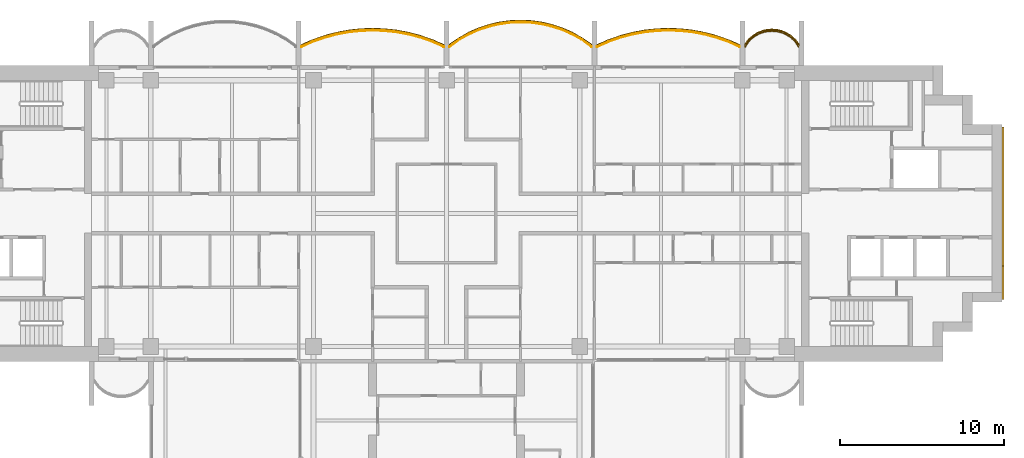
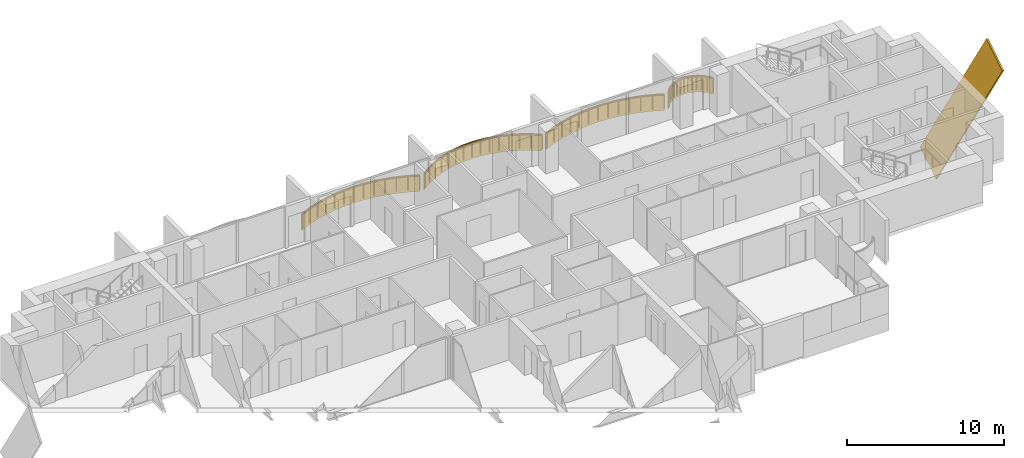
# One storey, part 17 of 17: 5 coverings, 4 railings.
"""IFC4 building model written with IfcOpenShell, lengths in metres."""

from ifc_helpers import new_model, si_unit, direction, frame, origin, origin_2d, place, context, subcontext, project, spatial, polyline, rectangle, outline, extrude, material, layer, layer_set, material_profile, profile_set, type_object, element, save


model = new_model("IFC4")

# Units and contexts
model_context = context("Model", 3, precision=1e-05, world=origin(), true_north=direction((0.0, 1.0)))
body_context = subcontext(model_context, "Body", "Model", "MODEL_VIEW")
ifc_project = project(units=[si_unit("LENGTHUNIT", "METRE"), si_unit("AREAUNIT", "SQUARE_METRE"), si_unit("VOLUMEUNIT", "CUBIC_METRE"), si_unit("PLANEANGLEUNIT", "RADIAN"), si_unit("MASSUNIT", "GRAM", prefix="KILO")], contexts=[model_context])

# Site, building, storey
site_placement = place(None, origin())
site = spatial("IfcSite", under=ifc_project, at=site_placement, CompositionType="ELEMENT")
building_placement = place(site_placement, origin())
building = spatial("IfcBuilding", under=site, at=building_placement, Name="Perihelion Cross Residences", CompositionType="ELEMENT")
storey_placement = place(building_placement, frame((0.0, 0.0, 191.10009765625)))
storey = spatial("IfcBuildingStorey", under=building, at=storey_placement, Name="L47", CompositionType="ELEMENT", Elevation=191.10009765625)

# Coverings
ifc_material_1 = material(Name="Bronze anodised aluminium", Category="aluminium")
ifc_layer = layer(ifc_material_1, 0.070068359375)
ifc_layer_set = layer_set([ifc_layer], Name="Balcony fascia 1300")
covering_type_1 = type_object("IfcCoveringType", Name="Balcony fascia 1300", PredefinedType="CLADDING", material=ifc_layer_set)
covering_1_placement = place(storey_placement, frame((0.0, 0.0, -0.2001953125)))
element("IfcCovering", 1, at=covering_1_placement, inside=storey, type_object=covering_type_1, Name="Fascia BF1 L47 east side north bay 1", PredefinedType="CLADDING", context=body_context, shape_type="SweptSolid", body=[
    extrude(outline(polyline([(21.226318359375, 10.616455078125), (20.94091796875, 10.86328125), (20.655517578125, 11.031494140625), (20.370361328125, 11.142578125), (20.085205078125, 11.206298828125), (19.800048828125, 11.22705078125), (19.514892578125, 11.206298828125), (19.229736328125, 11.142578125), (18.9443359375, 11.031494140625), (18.6591796875, 10.86328125), (18.373779296875, 10.616455078125), (18.14990234375, 10.31689453125), (18.14990234375, 10.199951171875), (18.425048828125, 10.568603515625), (18.699951171875, 10.806396484375), (18.97509765625, 10.96875), (19.25, 11.07568359375), (19.52490234375, 11.136962890625), (19.800048828125, 11.156982421875), (20.074951171875, 11.136962890625), (20.35009765625, 11.07568359375), (20.625, 10.96875), (20.89990234375, 10.806396484375), (21.175048828125, 10.568603515625), (21.449951171875, 10.199951171875), (21.449951171875, 10.31689453125), (21.226318359375, 10.616455078125)])), origin(), (0.0, 0.0, 1.0), 1.300048828125),
])
covering_2_placement = place(storey_placement, frame((0.0, 0.0, -0.2001953125)))
element("IfcCovering", 2, at=covering_2_placement, inside=storey, type_object=covering_type_1, Name="Fascia BF1 L47 east side north bay 2", PredefinedType="CLADDING", context=body_context, shape_type="SweptSolid", body=[
    extrude(outline(polyline([(17.150634765625, 10.582275390625), (16.42041015625, 10.83544921875), (15.690185546875, 11.028076171875), (14.960205078125, 11.1630859375), (14.22998046875, 11.243408203125), (13.5, 11.27001953125), (12.77001953125, 11.243408203125), (12.039794921875, 11.1630859375), (11.309814453125, 11.028076171875), (10.57958984375, 10.83544921875), (9.849365234375, 10.582275390625), (9.14990234375, 10.2763671875), (9.14990234375, 10.199951171875), (9.875, 10.51708984375), (10.60009765625, 10.7685546875), (11.324951171875, 10.959716796875), (12.050048828125, 11.093994140625), (12.77490234375, 11.173583984375), (13.5, 11.199951171875), (14.22509765625, 11.173583984375), (14.949951171875, 11.093994140625), (15.675048828125, 10.959716796875), (16.39990234375, 10.7685546875), (17.125, 10.51708984375), (17.85009765625, 10.199951171875), (17.85009765625, 10.2763671875), (17.150634765625, 10.582275390625)])), origin(), (0.0, 0.0, 1.0), 1.300048828125),
])
covering_3_placement = place(storey_placement, frame((0.0, 0.0, -0.2001953125)))
element("IfcCovering", 3, at=covering_3_placement, inside=storey, type_object=covering_type_1, Name="Fascia BF1 L47 north side east bay 1", PredefinedType="CLADDING", context=body_context, shape_type="SweptSolid", body=[
    extrude(outline(polyline([(8.265625, 10.694091796875), (7.637939453125, 11.0419921875), (7.010498046875, 11.313232421875), (6.3828125, 11.516845703125), (5.755126953125, 11.65869140625), (5.127685546875, 11.742431640625), (4.5, 11.77001953125), (3.872314453125, 11.742431640625), (3.244873046875, 11.65869140625), (2.6171875, 11.516845703125), (1.989501953125, 11.313232421875), (1.362060546875, 11.0419921875), (0.734375, 10.694091796875), (0.14990234375, 10.285400390625), (0.14990234375, 10.199951171875), (0.771484375, 10.634765625), (1.392822265625, 10.979248046875), (2.014404296875, 11.247802734375), (2.6357421875, 11.44921875), (3.257080078125, 11.589599609375), (3.878662109375, 11.672607421875), (4.5, 11.699951171875), (5.121337890625, 11.672607421875), (5.742919921875, 11.589599609375), (6.3642578125, 11.44921875), (6.985595703125, 11.247802734375), (7.607177734375, 10.979248046875), (8.228515625, 10.634765625), (8.85009765625, 10.199951171875), (8.85009765625, 10.285400390625), (8.265625, 10.694091796875)])), origin(), (0.0, 0.0, 1.0), 1.300048828125),
])
covering_4_placement = place(storey_placement, frame((0.0, 0.0, -0.2001953125)))
element("IfcCovering", 4, at=covering_4_placement, inside=storey, type_object=covering_type_1, Name="Fascia BF1 L47 north side east bay 2", PredefinedType="CLADDING", context=body_context, shape_type="SweptSolid", body=[
    extrude(outline(polyline([(-0.849365234375, 10.582275390625), (-1.57958984375, 10.83544921875), (-2.309814453125, 11.028076171875), (-3.039794921875, 11.1630859375), (-3.77001953125, 11.243408203125), (-4.5, 11.27001953125), (-5.22998046875, 11.243408203125), (-5.960205078125, 11.1630859375), (-6.690185546875, 11.028076171875), (-7.42041015625, 10.83544921875), (-8.150634765625, 10.582275390625), (-8.85009765625, 10.2763671875), (-8.85009765625, 10.199951171875), (-8.125, 10.51708984375), (-7.39990234375, 10.7685546875), (-6.675048828125, 10.959716796875), (-5.949951171875, 11.093994140625), (-5.22509765625, 11.173583984375), (-4.5, 11.199951171875), (-3.77490234375, 11.173583984375), (-3.050048828125, 11.093994140625), (-2.324951171875, 10.959716796875), (-1.60009765625, 10.7685546875), (-0.875, 10.51708984375), (-0.14990234375, 10.199951171875), (-0.14990234375, 10.2763671875), (-0.849365234375, 10.582275390625)])), origin(), (0.0, 0.0, 1.0), 1.300048828125),
])

# Railings
ifc_material_2 = material(Name="Bronze anodised aluminium", Category="aluminium")
railing_type = type_object("IfcRailingType", Name="Balcony guard 1100", PredefinedType="GUARDRAIL", material=ifc_material_2)
railing_1_placement = place(storey_placement, frame((21.425048828125, 10.139892578125, 0.0)))
element("IfcRailing", 5, at=railing_1_placement, inside=storey, type_object=railing_type, Name="Guard GU1 L47 east side north bay 1 balcony", PredefinedType="GUARDRAIL", context=body_context, shape_type="SweptSolid", body=[
    extrude(rectangle(XDim=0.048095703125, YDim=0.048095703125, at=origin_2d()), frame((0.0, 0.0, 1.076171875), z_axis=(-0.561260132269, 0.827639452857, 0.0), x_axis=(-0.827639452857, -0.561260132269, 0.0)), (0.0, 0.0, 1.0), 0.4453125),
    extrude(rectangle(XDim=0.048095703125, YDim=0.048095703125, at=origin_2d()), frame((-0.25, 0.36865234375, 1.076171875), z_axis=(-0.756596535164, 0.653882009982, 0.0), x_axis=(-0.653882009982, -0.756596535164, 0.0)), (0.0, 0.0, 1.0), 0.36376953125),
    extrude(rectangle(XDim=0.048095703125, YDim=0.048095703125, at=origin_2d()), frame((-0.525146484375, 0.6064453125, 1.076171875), z_axis=(-0.861048292884, 0.508523192511, 0.0), x_axis=(-0.508523192511, -0.861048292884, 0.0)), (0.0, 0.0, 1.0), 0.3193359375),
    extrude(rectangle(XDim=0.048095703125, YDim=0.048095703125, at=origin_2d()), frame((-0.800048828125, 0.768798828125, 1.076171875), z_axis=(-0.931973602183, 0.362526143656, 0.0), x_axis=(-0.362526143656, -0.931973602183, 0.0)), (0.0, 0.0, 1.0), 0.294921875),
    extrude(rectangle(XDim=0.048095703125, YDim=0.048095703125, at=origin_2d()), frame((-1.074951171875, 0.875732421875, 1.076171875), z_axis=(-0.976085059389, 0.21738895289, 0.0), x_axis=(-0.21738895289, -0.976085059389, 0.0)), (0.0, 0.0, 1.0), 0.281982421875),
    extrude(rectangle(XDim=0.048095703125, YDim=0.048095703125, at=origin_2d()), frame((-1.35009765625, 0.93701171875, 1.076171875), z_axis=(-0.997358821833, 0.072631814734, 0.0), x_axis=(-0.072631814734, -0.997358821833, 0.0)), (0.0, 0.0, 1.0), 0.275634765625),
    extrude(rectangle(XDim=0.048095703125, YDim=0.048095703125, at=origin_2d()), frame((-1.625, 0.95703125, 1.076171875), z_axis=(-0.997363488337, -0.072567707226, 0.0), x_axis=(0.072567707226, -0.997363488337, 0.0)), (0.0, 0.0, 1.0), 0.27587890625),
    extrude(rectangle(XDim=0.048095703125, YDim=0.048095703125, at=origin_2d()), frame((-1.900146484375, 0.93701171875, 1.076171875), z_axis=(-0.976044077717, -0.217572880557, 0.0), x_axis=(0.217572880557, -0.976044077717, 0.0)), (0.0, 0.0, 1.0), 0.28173828125),
    extrude(rectangle(XDim=0.048095703125, YDim=0.048095703125, at=origin_2d()), frame((-2.175048828125, 0.875732421875, 1.076171875), z_axis=(-0.931973602183, -0.362526143656, 0.0), x_axis=(0.362526143656, -0.931973602183, 0.0)), (0.0, 0.0, 1.0), 0.294921875),
    extrude(rectangle(XDim=0.048095703125, YDim=0.048095703125, at=origin_2d()), frame((-2.449951171875, 0.768798828125, 1.076171875), z_axis=(-0.861245845072, -0.508188542123, 0.0), x_axis=(0.508188542123, -0.861245845072, 0.0)), (0.0, 0.0, 1.0), 0.319580078125),
    extrude(rectangle(XDim=0.048095703125, YDim=0.048095703125, at=origin_2d()), frame((-2.72509765625, 0.6064453125, 1.076171875), z_axis=(-0.756309278473, -0.654214242658, 0.0), x_axis=(0.654214242658, -0.756309278473, 0.0)), (0.0, 0.0, 1.0), 0.363525390625),
    extrude(rectangle(XDim=0.048095703125, YDim=0.048095703125, at=origin_2d()), frame((-3.0, 0.36865234375, 1.076171875), z_axis=(-0.561260132269, -0.827639452857, 0.0), x_axis=(0.827639452857, -0.561260132269, 0.0)), (0.0, 0.0, 1.0), 0.4453125),
    extrude(rectangle(XDim=0.0419921875, YDim=0.0419921875, at=origin_2d()), origin(), (0.0, 0.0, 1.0), 1.052001953125),
    extrude(rectangle(XDim=0.0419921875, YDim=0.0419921875, at=origin_2d()), frame((-0.25, 0.36865234375, 0.0)), (0.0, 0.0, 1.0), 1.052001953125),
    extrude(rectangle(XDim=0.0419921875, YDim=0.0419921875, at=origin_2d()), frame((-0.525146484375, 0.6064453125, 0.0)), (0.0, 0.0, 1.0), 1.052001953125),
    extrude(rectangle(XDim=0.0419921875, YDim=0.0419921875, at=origin_2d()), frame((-0.800048828125, 0.768798828125, 0.0)), (0.0, 0.0, 1.0), 1.052001953125),
    extrude(rectangle(XDim=0.0419921875, YDim=0.0419921875, at=origin_2d()), frame((-1.074951171875, 0.875732421875, 0.0)), (0.0, 0.0, 1.0), 1.052001953125),
    extrude(rectangle(XDim=0.0419921875, YDim=0.0419921875, at=origin_2d()), frame((-1.35009765625, 0.93701171875, 0.0)), (0.0, 0.0, 1.0), 1.052001953125),
    extrude(rectangle(XDim=0.0419921875, YDim=0.0419921875, at=origin_2d()), frame((-1.625, 0.95703125, 0.0)), (0.0, 0.0, 1.0), 1.052001953125),
    extrude(rectangle(XDim=0.0419921875, YDim=0.0419921875, at=origin_2d()), frame((-1.900146484375, 0.93701171875, 0.0)), (0.0, 0.0, 1.0), 1.052001953125),
    extrude(rectangle(XDim=0.0419921875, YDim=0.0419921875, at=origin_2d()), frame((-2.175048828125, 0.875732421875, 0.0)), (0.0, 0.0, 1.0), 1.052001953125),
    extrude(rectangle(XDim=0.0419921875, YDim=0.0419921875, at=origin_2d()), frame((-2.449951171875, 0.768798828125, 0.0)), (0.0, 0.0, 1.0), 1.052001953125),
    extrude(rectangle(XDim=0.0419921875, YDim=0.0419921875, at=origin_2d()), frame((-2.72509765625, 0.6064453125, 0.0)), (0.0, 0.0, 1.0), 1.052001953125),
    extrude(rectangle(XDim=0.0419921875, YDim=0.0419921875, at=origin_2d()), frame((-3.0, 0.36865234375, 0.0)), (0.0, 0.0, 1.0), 1.052001953125),
    extrude(rectangle(XDim=0.0419921875, YDim=0.0419921875, at=origin_2d()), frame((-3.25, 0.0, 0.0)), (0.0, 0.0, 1.0), 1.052001953125),
])
railing_2_placement = place(storey_placement, frame((17.824951171875, 10.139892578125, 0.0)))
element("IfcRailing", 6, at=railing_2_placement, inside=storey, type_object=railing_type, Name="Guard GU1 L47 east side north bay 2 balcony", PredefinedType="GUARDRAIL", context=body_context, shape_type="SweptSolid", body=[
    extrude(rectangle(XDim=0.048095703125, YDim=0.048095703125, at=origin_2d()), frame((0.0, 0.0, 1.076171875), z_axis=(-0.910866309087, 0.412701547089, 0.0), x_axis=(-0.412701547089, -0.910866309087, 0.0)), (0.0, 0.0, 1.0), 0.7685546875),
    extrude(rectangle(XDim=0.048095703125, YDim=0.048095703125, at=origin_2d()), frame((-0.699951171875, 0.317138671875, 1.076171875), z_axis=(-0.944796812452, 0.327656807012, 0.0), x_axis=(-0.327656807012, -0.944796812452, 0.0)), (0.0, 0.0, 1.0), 0.767578125),
    extrude(rectangle(XDim=0.048095703125, YDim=0.048095703125, at=origin_2d()), frame((-1.425048828125, 0.568603515625, 1.076171875), z_axis=(-0.966939404945, 0.255006249266, 0.0), x_axis=(-0.255006249266, -0.966939404945, 0.0)), (0.0, 0.0, 1.0), 0.749755859375),
    extrude(rectangle(XDim=0.048095703125, YDim=0.048095703125, at=origin_2d()), frame((-2.14990234375, 0.759765625, 1.076171875), z_axis=(-0.983282004984, 0.182089260182, 0.0), x_axis=(-0.182089260182, -0.983282004984, 0.0)), (0.0, 0.0, 1.0), 0.7373046875),
    extrude(rectangle(XDim=0.048095703125, YDim=0.048095703125, at=origin_2d()), frame((-2.875, 0.89404296875, 1.076171875), z_axis=(-0.994025805622, 0.109145305703, 0.0), x_axis=(-0.109145305703, -0.994025805622, 0.0)), (0.0, 0.0, 1.0), 0.729248046875),
    extrude(rectangle(XDim=0.048095703125, YDim=0.048095703125, at=origin_2d()), frame((-3.599853515625, 0.9736328125, 1.076171875), z_axis=(-0.999339497946, 0.036339618107, 0.0), x_axis=(-0.036339618107, -0.999339497946, 0.0)), (0.0, 0.0, 1.0), 0.7255859375),
    extrude(rectangle(XDim=0.048095703125, YDim=0.048095703125, at=origin_2d()), frame((-4.324951171875, 1.0, 1.076171875), z_axis=(-0.999339497946, -0.036339618107, 0.0), x_axis=(0.036339618107, -0.999339497946, 0.0)), (0.0, 0.0, 1.0), 0.7255859375),
    extrude(rectangle(XDim=0.048095703125, YDim=0.048095703125, at=origin_2d()), frame((-5.050048828125, 0.9736328125, 1.076171875), z_axis=(-0.994025805622, -0.109145305703, 0.0), x_axis=(0.109145305703, -0.994025805622, 0.0)), (0.0, 0.0, 1.0), 0.729248046875),
    extrude(rectangle(XDim=0.048095703125, YDim=0.048095703125, at=origin_2d()), frame((-5.77490234375, 0.89404296875, 1.076171875), z_axis=(-0.983282004984, -0.182089260182, 0.0), x_axis=(0.182089260182, -0.983282004984, 0.0)), (0.0, 0.0, 1.0), 0.7373046875),
    extrude(rectangle(XDim=0.048095703125, YDim=0.048095703125, at=origin_2d()), frame((-6.5, 0.759765625, 1.076171875), z_axis=(-0.966939404945, -0.255006249266, 0.0), x_axis=(0.255006249266, -0.966939404945, 0.0)), (0.0, 0.0, 1.0), 0.749755859375),
    extrude(rectangle(XDim=0.048095703125, YDim=0.048095703125, at=origin_2d()), frame((-7.224853515625, 0.568603515625, 1.076171875), z_axis=(-0.944796812452, -0.327656807012, 0.0), x_axis=(0.327656807012, -0.944796812452, 0.0)), (0.0, 0.0, 1.0), 0.767578125),
    extrude(rectangle(XDim=0.048095703125, YDim=0.048095703125, at=origin_2d()), frame((-7.949951171875, 0.317138671875, 1.076171875), z_axis=(-0.910866309087, -0.412701547089, 0.0), x_axis=(0.412701547089, -0.910866309087, 0.0)), (0.0, 0.0, 1.0), 0.7685546875),
    extrude(rectangle(XDim=0.0419921875, YDim=0.0419921875, at=origin_2d()), origin(), (0.0, 0.0, 1.0), 1.052001953125),
    extrude(rectangle(XDim=0.0419921875, YDim=0.0419921875, at=origin_2d()), frame((-0.699951171875, 0.317138671875, 0.0)), (0.0, 0.0, 1.0), 1.052001953125),
    extrude(rectangle(XDim=0.0419921875, YDim=0.0419921875, at=origin_2d()), frame((-1.425048828125, 0.568603515625, 0.0)), (0.0, 0.0, 1.0), 1.052001953125),
    extrude(rectangle(XDim=0.0419921875, YDim=0.0419921875, at=origin_2d()), frame((-2.14990234375, 0.759765625, 0.0)), (0.0, 0.0, 1.0), 1.052001953125),
    extrude(rectangle(XDim=0.0419921875, YDim=0.0419921875, at=origin_2d()), frame((-2.875, 0.89404296875, 0.0)), (0.0, 0.0, 1.0), 1.052001953125),
    extrude(rectangle(XDim=0.0419921875, YDim=0.0419921875, at=origin_2d()), frame((-3.599853515625, 0.9736328125, 0.0)), (0.0, 0.0, 1.0), 1.052001953125),
    extrude(rectangle(XDim=0.0419921875, YDim=0.0419921875, at=origin_2d()), frame((-4.324951171875, 1.0, 0.0)), (0.0, 0.0, 1.0), 1.052001953125),
    extrude(rectangle(XDim=0.0419921875, YDim=0.0419921875, at=origin_2d()), frame((-5.050048828125, 0.9736328125, 0.0)), (0.0, 0.0, 1.0), 1.052001953125),
    extrude(rectangle(XDim=0.0419921875, YDim=0.0419921875, at=origin_2d()), frame((-5.77490234375, 0.89404296875, 0.0)), (0.0, 0.0, 1.0), 1.052001953125),
    extrude(rectangle(XDim=0.0419921875, YDim=0.0419921875, at=origin_2d()), frame((-6.5, 0.759765625, 0.0)), (0.0, 0.0, 1.0), 1.052001953125),
    extrude(rectangle(XDim=0.0419921875, YDim=0.0419921875, at=origin_2d()), frame((-7.224853515625, 0.568603515625, 0.0)), (0.0, 0.0, 1.0), 1.052001953125),
    extrude(rectangle(XDim=0.0419921875, YDim=0.0419921875, at=origin_2d()), frame((-7.949951171875, 0.317138671875, 0.0)), (0.0, 0.0, 1.0), 1.052001953125),
    extrude(rectangle(XDim=0.0419921875, YDim=0.0419921875, at=origin_2d()), frame((-8.64990234375, 0.0, 0.0)), (0.0, 0.0, 1.0), 1.052001953125),
])
railing_3_placement = place(storey_placement, frame((8.824951171875, 10.139892578125, 0.0)))
element("IfcRailing", 7, at=railing_3_placement, inside=storey, type_object=railing_type, Name="Guard GU1 L47 north side east bay 1 balcony", PredefinedType="GUARDRAIL", context=body_context, shape_type="SweptSolid", body=[
    extrude(rectangle(XDim=0.048095703125, YDim=0.048095703125, at=origin_2d()), frame((0.0, 0.0, 1.076171875), z_axis=(-0.808063294873, 0.589095672603, 0.0), x_axis=(-0.589095672603, -0.808063294873, 0.0)), (0.0, 0.0, 1.0), 0.738037109375),
    extrude(rectangle(XDim=0.048095703125, YDim=0.048095703125, at=origin_2d()), frame((-0.596435546875, 0.434814453125, 1.076171875), z_axis=(-0.874578399268, 0.484884134133, 0.0), x_axis=(-0.484884134133, -0.874578399268, 0.0)), (0.0, 0.0, 1.0), 0.71044921875),
    extrude(rectangle(XDim=0.048095703125, YDim=0.048095703125, at=origin_2d()), frame((-1.2177734375, 0.779296875, 1.076171875), z_axis=(-0.917984792895, 0.396615582162, 0.0), x_axis=(-0.396615582162, -0.917984792895, 0.0)), (0.0, 0.0, 1.0), 0.677001953125),
    extrude(rectangle(XDim=0.048095703125, YDim=0.048095703125, at=origin_2d()), frame((-1.83935546875, 1.0478515625, 1.076171875), z_axis=(-0.951157585372, 0.308705762482, 0.0), x_axis=(-0.308705762482, -0.951157585372, 0.0)), (0.0, 0.0, 1.0), 0.6533203125),
    extrude(rectangle(XDim=0.048095703125, YDim=0.048095703125, at=origin_2d()), frame((-2.460693359375, 1.24951171875, 1.076171875), z_axis=(-0.975414431917, 0.220378506229, 0.0), x_axis=(-0.220378506229, -0.975414431917, 0.0)), (0.0, 0.0, 1.0), 0.636962890625),
    extrude(rectangle(XDim=0.048095703125, YDim=0.048095703125, at=origin_2d()), frame((-3.08203125, 1.389892578125, 1.076171875), z_axis=(-0.991251686862, 0.131985201039, 0.0), x_axis=(-0.131985201039, -0.991251686862, 0.0)), (0.0, 0.0, 1.0), 0.626953125),
    extrude(rectangle(XDim=0.048095703125, YDim=0.048095703125, at=origin_2d()), frame((-3.70361328125, 1.47265625, 1.076171875), z_axis=(-0.999033058467, 0.04396530552, 0.0), x_axis=(-0.04396530552, -0.999033058467, 0.0)), (0.0, 0.0, 1.0), 0.621826171875),
    extrude(rectangle(XDim=0.048095703125, YDim=0.048095703125, at=origin_2d()), frame((-4.324951171875, 1.5, 1.076171875), z_axis=(-0.999033058467, -0.04396530552, 0.0), x_axis=(0.04396530552, -0.999033058467, 0.0)), (0.0, 0.0, 1.0), 0.621826171875),
    extrude(rectangle(XDim=0.048095703125, YDim=0.048095703125, at=origin_2d()), frame((-4.9462890625, 1.47265625, 1.076171875), z_axis=(-0.991251686862, -0.131985201039, 0.0), x_axis=(0.131985201039, -0.991251686862, 0.0)), (0.0, 0.0, 1.0), 0.626953125),
    extrude(rectangle(XDim=0.048095703125, YDim=0.048095703125, at=origin_2d()), frame((-5.56787109375, 1.389892578125, 1.076171875), z_axis=(-0.975414431917, -0.220378506229, 0.0), x_axis=(0.220378506229, -0.975414431917, 0.0)), (0.0, 0.0, 1.0), 0.636962890625),
    extrude(rectangle(XDim=0.048095703125, YDim=0.048095703125, at=origin_2d()), frame((-6.189208984375, 1.24951171875, 1.076171875), z_axis=(-0.951157585372, -0.308705762482, 0.0), x_axis=(0.308705762482, -0.951157585372, 0.0)), (0.0, 0.0, 1.0), 0.6533203125),
    extrude(rectangle(XDim=0.048095703125, YDim=0.048095703125, at=origin_2d()), frame((-6.810546875, 1.0478515625, 1.076171875), z_axis=(-0.917984792895, -0.396615582162, 0.0), x_axis=(0.396615582162, -0.917984792895, 0.0)), (0.0, 0.0, 1.0), 0.677001953125),
    extrude(rectangle(XDim=0.048095703125, YDim=0.048095703125, at=origin_2d()), frame((-7.43212890625, 0.779296875, 1.076171875), z_axis=(-0.874578399268, -0.484884134133, 0.0), x_axis=(0.484884134133, -0.874578399268, 0.0)), (0.0, 0.0, 1.0), 0.71044921875),
    extrude(rectangle(XDim=0.048095703125, YDim=0.048095703125, at=origin_2d()), frame((-8.053466796875, 0.434814453125, 1.076171875), z_axis=(-0.808063294873, -0.589095672603, 0.0), x_axis=(0.589095672603, -0.808063294873, 0.0)), (0.0, 0.0, 1.0), 0.738037109375),
    extrude(rectangle(XDim=0.0419921875, YDim=0.0419921875, at=origin_2d()), origin(), (0.0, 0.0, 1.0), 1.052001953125),
    extrude(rectangle(XDim=0.0419921875, YDim=0.0419921875, at=origin_2d()), frame((-0.596435546875, 0.434814453125, 0.0)), (0.0, 0.0, 1.0), 1.052001953125),
    extrude(rectangle(XDim=0.0419921875, YDim=0.0419921875, at=origin_2d()), frame((-1.2177734375, 0.779296875, 0.0)), (0.0, 0.0, 1.0), 1.052001953125),
    extrude(rectangle(XDim=0.0419921875, YDim=0.0419921875, at=origin_2d()), frame((-1.83935546875, 1.0478515625, 0.0)), (0.0, 0.0, 1.0), 1.052001953125),
    extrude(rectangle(XDim=0.0419921875, YDim=0.0419921875, at=origin_2d()), frame((-2.460693359375, 1.24951171875, 0.0)), (0.0, 0.0, 1.0), 1.052001953125),
    extrude(rectangle(XDim=0.0419921875, YDim=0.0419921875, at=origin_2d()), frame((-3.08203125, 1.389892578125, 0.0)), (0.0, 0.0, 1.0), 1.052001953125),
    extrude(rectangle(XDim=0.0419921875, YDim=0.0419921875, at=origin_2d()), frame((-3.70361328125, 1.47265625, 0.0)), (0.0, 0.0, 1.0), 1.052001953125),
    extrude(rectangle(XDim=0.0419921875, YDim=0.0419921875, at=origin_2d()), frame((-4.324951171875, 1.5, 0.0)), (0.0, 0.0, 1.0), 1.052001953125),
    extrude(rectangle(XDim=0.0419921875, YDim=0.0419921875, at=origin_2d()), frame((-4.9462890625, 1.47265625, 0.0)), (0.0, 0.0, 1.0), 1.052001953125),
    extrude(rectangle(XDim=0.0419921875, YDim=0.0419921875, at=origin_2d()), frame((-5.56787109375, 1.389892578125, 0.0)), (0.0, 0.0, 1.0), 1.052001953125),
    extrude(rectangle(XDim=0.0419921875, YDim=0.0419921875, at=origin_2d()), frame((-6.189208984375, 1.24951171875, 0.0)), (0.0, 0.0, 1.0), 1.052001953125),
    extrude(rectangle(XDim=0.0419921875, YDim=0.0419921875, at=origin_2d()), frame((-6.810546875, 1.0478515625, 0.0)), (0.0, 0.0, 1.0), 1.052001953125),
    extrude(rectangle(XDim=0.0419921875, YDim=0.0419921875, at=origin_2d()), frame((-7.43212890625, 0.779296875, 0.0)), (0.0, 0.0, 1.0), 1.052001953125),
    extrude(rectangle(XDim=0.0419921875, YDim=0.0419921875, at=origin_2d()), frame((-8.053466796875, 0.434814453125, 0.0)), (0.0, 0.0, 1.0), 1.052001953125),
    extrude(rectangle(XDim=0.0419921875, YDim=0.0419921875, at=origin_2d()), frame((-8.64990234375, 0.0, 0.0)), (0.0, 0.0, 1.0), 1.052001953125),
])
railing_4_placement = place(storey_placement, frame((-0.175048828125, 10.139892578125, 0.0)))
element("IfcRailing", 8, at=railing_4_placement, inside=storey, type_object=railing_type, Name="Guard GU1 L47 north side east bay 2 balcony", PredefinedType="GUARDRAIL", context=body_context, shape_type="SweptSolid", body=[
    extrude(rectangle(XDim=0.048095703125, YDim=0.048095703125, at=origin_2d()), frame((0.0, 0.0, 1.076171875), z_axis=(-0.910866309087, 0.412701547089, 0.0), x_axis=(-0.412701547089, -0.910866309087, 0.0)), (0.0, 0.0, 1.0), 0.7685546875),
    extrude(rectangle(XDim=0.048095703125, YDim=0.048095703125, at=origin_2d()), frame((-0.699951171875, 0.317138671875, 1.076171875), z_axis=(-0.944796812452, 0.327656807012, 0.0), x_axis=(-0.327656807012, -0.944796812452, 0.0)), (0.0, 0.0, 1.0), 0.767578125),
    extrude(rectangle(XDim=0.048095703125, YDim=0.048095703125, at=origin_2d()), frame((-1.425048828125, 0.568603515625, 1.076171875), z_axis=(-0.966939404945, 0.255006249266, 0.0), x_axis=(-0.255006249266, -0.966939404945, 0.0)), (0.0, 0.0, 1.0), 0.749755859375),
    extrude(rectangle(XDim=0.048095703125, YDim=0.048095703125, at=origin_2d()), frame((-2.14990234375, 0.759765625, 1.076171875), z_axis=(-0.983282004984, 0.182089260182, 0.0), x_axis=(-0.182089260182, -0.983282004984, 0.0)), (0.0, 0.0, 1.0), 0.7373046875),
    extrude(rectangle(XDim=0.048095703125, YDim=0.048095703125, at=origin_2d()), frame((-2.875, 0.89404296875, 1.076171875), z_axis=(-0.994025805622, 0.109145305703, 0.0), x_axis=(-0.109145305703, -0.994025805622, 0.0)), (0.0, 0.0, 1.0), 0.729248046875),
    extrude(rectangle(XDim=0.048095703125, YDim=0.048095703125, at=origin_2d()), frame((-3.599853515625, 0.9736328125, 1.076171875), z_axis=(-0.999339497946, 0.036339618107, 0.0), x_axis=(-0.036339618107, -0.999339497946, 0.0)), (0.0, 0.0, 1.0), 0.7255859375),
    extrude(rectangle(XDim=0.048095703125, YDim=0.048095703125, at=origin_2d()), frame((-4.324951171875, 1.0, 1.076171875), z_axis=(-0.999339497946, -0.036339618107, 0.0), x_axis=(0.036339618107, -0.999339497946, 0.0)), (0.0, 0.0, 1.0), 0.7255859375),
    extrude(rectangle(XDim=0.048095703125, YDim=0.048095703125, at=origin_2d()), frame((-5.050048828125, 0.9736328125, 1.076171875), z_axis=(-0.994025805622, -0.109145305703, 0.0), x_axis=(0.109145305703, -0.994025805622, 0.0)), (0.0, 0.0, 1.0), 0.729248046875),
    extrude(rectangle(XDim=0.048095703125, YDim=0.048095703125, at=origin_2d()), frame((-5.77490234375, 0.89404296875, 1.076171875), z_axis=(-0.983282004984, -0.182089260182, 0.0), x_axis=(0.182089260182, -0.983282004984, 0.0)), (0.0, 0.0, 1.0), 0.7373046875),
    extrude(rectangle(XDim=0.048095703125, YDim=0.048095703125, at=origin_2d()), frame((-6.5, 0.759765625, 1.076171875), z_axis=(-0.966939404945, -0.255006249266, 0.0), x_axis=(0.255006249266, -0.966939404945, 0.0)), (0.0, 0.0, 1.0), 0.749755859375),
    extrude(rectangle(XDim=0.048095703125, YDim=0.048095703125, at=origin_2d()), frame((-7.224853515625, 0.568603515625, 1.076171875), z_axis=(-0.944796812452, -0.327656807012, 0.0), x_axis=(0.327656807012, -0.944796812452, 0.0)), (0.0, 0.0, 1.0), 0.767578125),
    extrude(rectangle(XDim=0.048095703125, YDim=0.048095703125, at=origin_2d()), frame((-7.949951171875, 0.317138671875, 1.076171875), z_axis=(-0.910866309087, -0.412701547089, 0.0), x_axis=(0.412701547089, -0.910866309087, 0.0)), (0.0, 0.0, 1.0), 0.7685546875),
    extrude(rectangle(XDim=0.0419921875, YDim=0.0419921875, at=origin_2d()), origin(), (0.0, 0.0, 1.0), 1.052001953125),
    extrude(rectangle(XDim=0.0419921875, YDim=0.0419921875, at=origin_2d()), frame((-0.699951171875, 0.317138671875, 0.0)), (0.0, 0.0, 1.0), 1.052001953125),
    extrude(rectangle(XDim=0.0419921875, YDim=0.0419921875, at=origin_2d()), frame((-1.425048828125, 0.568603515625, 0.0)), (0.0, 0.0, 1.0), 1.052001953125),
    extrude(rectangle(XDim=0.0419921875, YDim=0.0419921875, at=origin_2d()), frame((-2.14990234375, 0.759765625, 0.0)), (0.0, 0.0, 1.0), 1.052001953125),
    extrude(rectangle(XDim=0.0419921875, YDim=0.0419921875, at=origin_2d()), frame((-2.875, 0.89404296875, 0.0)), (0.0, 0.0, 1.0), 1.052001953125),
    extrude(rectangle(XDim=0.0419921875, YDim=0.0419921875, at=origin_2d()), frame((-3.599853515625, 0.9736328125, 0.0)), (0.0, 0.0, 1.0), 1.052001953125),
    extrude(rectangle(XDim=0.0419921875, YDim=0.0419921875, at=origin_2d()), frame((-4.324951171875, 1.0, 0.0)), (0.0, 0.0, 1.0), 1.052001953125),
    extrude(rectangle(XDim=0.0419921875, YDim=0.0419921875, at=origin_2d()), frame((-5.050048828125, 0.9736328125, 0.0)), (0.0, 0.0, 1.0), 1.052001953125),
    extrude(rectangle(XDim=0.0419921875, YDim=0.0419921875, at=origin_2d()), frame((-5.77490234375, 0.89404296875, 0.0)), (0.0, 0.0, 1.0), 1.052001953125),
    extrude(rectangle(XDim=0.0419921875, YDim=0.0419921875, at=origin_2d()), frame((-6.5, 0.759765625, 0.0)), (0.0, 0.0, 1.0), 1.052001953125),
    extrude(rectangle(XDim=0.0419921875, YDim=0.0419921875, at=origin_2d()), frame((-7.224853515625, 0.568603515625, 0.0)), (0.0, 0.0, 1.0), 1.052001953125),
    extrude(rectangle(XDim=0.0419921875, YDim=0.0419921875, at=origin_2d()), frame((-7.949951171875, 0.317138671875, 0.0)), (0.0, 0.0, 1.0), 1.052001953125),
    extrude(rectangle(XDim=0.0419921875, YDim=0.0419921875, at=origin_2d()), frame((-8.64990234375, 0.0, 0.0)), (0.0, 0.0, 1.0), 1.052001953125),
])

# Covering
ifc_material_3 = material(Name="Bronze anodised aluminium", Category="aluminium")
ifc_material_profile = material_profile(ifc_material_3, rectangle(XDim=0.125, YDim=2.39990234375, at=origin_2d()), Name="Bronze cladding band 2400")
ifc_profile_set = profile_set([ifc_material_profile], Name="Bronze anodised aluminium")
covering_type_2 = type_object("IfcCoveringType", Name="Bronze cladding band 2400", PredefinedType="CLADDING", material=ifc_profile_set)
covering_5_placement = place(storey_placement, frame((33.862548828125, 4.232421875, -6.2431640625), z_axis=(0.0, -0.529931619435, 0.848040375644), x_axis=(1.0, 0.0, 0.0)))
element("IfcCovering", 9, at=covering_5_placement, inside=storey, type_object=covering_type_2, Name="Core cladding band, east core", PredefinedType="CLADDING", context=body_context, shape_type="SweptSolid", body=[
    extrude(rectangle(XDim=0.125, YDim=2.39990234375, at=origin_2d()), origin(), (0.0, 0.0, 1.0), 15.973388671875),
])

save(model, "model.ifc")
